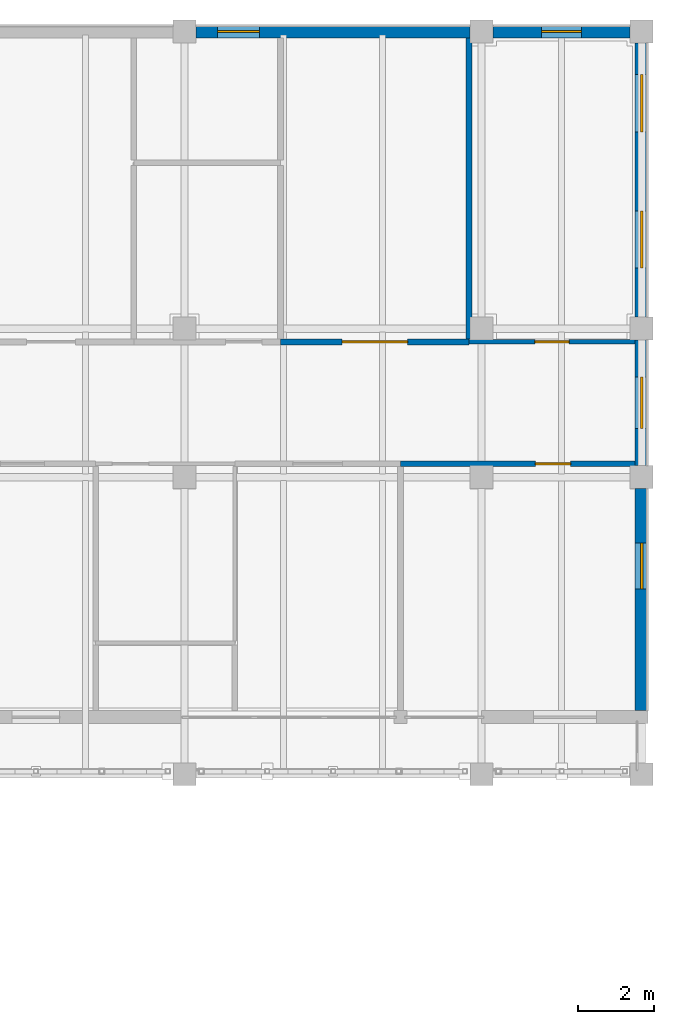
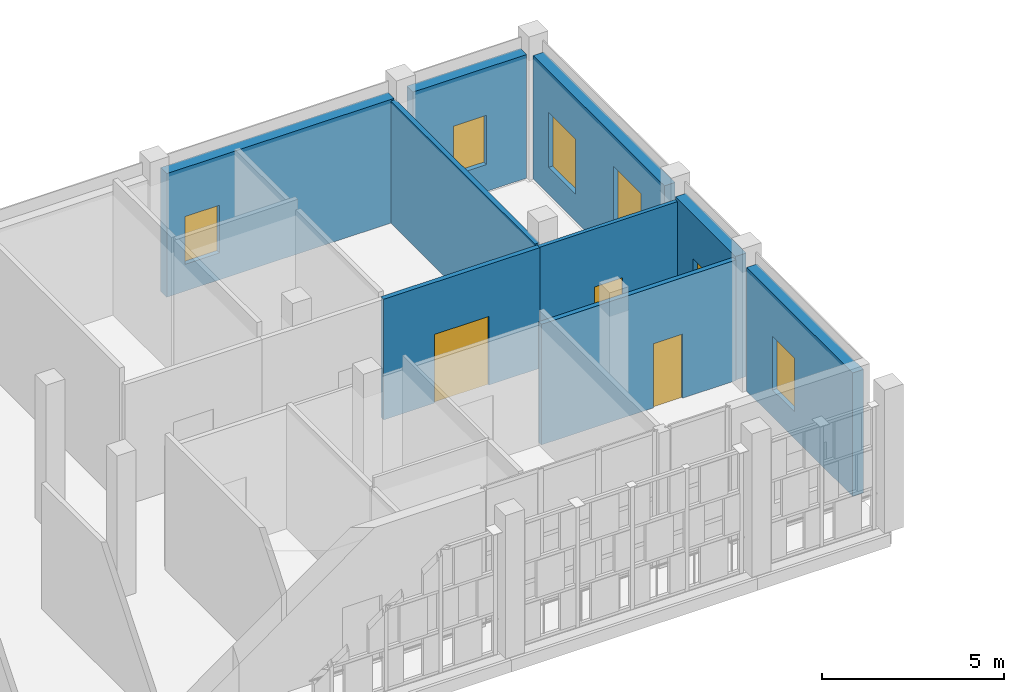
# One storey, part 114 of 138: 9 walls, 6 windows, 3 doors, 9 openings.
"""IFC4 building model written with IfcOpenShell, lengths in metres."""

import ifcopenshell
import ifcopenshell.guid

model = None  # the IFC model being written
_history = None  # IfcOwnerHistory: only IFC2X3 demands one
_inside = {}  # id of a spatial element -> (the spatial element, [elements in it])
_under = {}  # id of a project, library or spatial element -> (it, [spatial elements below it])
_declared = {}  # id of a project -> (the project, [libraries it declares])
_typed = {}  # id of a type object -> (the type object, [elements of that type])
_made_of = {}  # id of a material, layer set ... -> (it, [elements and type objects made of it])


def new_model(schema):
    """Start an empty IFC model of exactly this schema.

    Asked for "IFC4X3", IfcOpenShell would pick the latest addendum, in which some entities
    have other attributes; the version numbers below select the first issue.
    IFC2X3 requires an IfcOwnerHistory on every rooted entity: one is made here for all.
    """
    global model, _history
    if schema == "IFC4X3":
        model = ifcopenshell.file(schema_version=(4, 3, 0, 0))
    else:
        model = ifcopenshell.file(schema=schema)
    _inside.clear()
    _under.clear()
    _declared.clear()
    _typed.clear()
    _made_of.clear()
    _history = None
    if model.schema == "IFC2X3":
        org = make("IfcOrganization", Name="unknown")
        user = make(
            "IfcPersonAndOrganization",
            ThePerson=make("IfcPerson", FamilyName="unknown"),
            TheOrganization=org,
        )
        app = make(
            "IfcApplication",
            ApplicationDeveloper=org,
            Version="unknown",
            ApplicationFullName="unknown",
            ApplicationIdentifier="unknown",
        )
        _history = make(
            "IfcOwnerHistory",
            OwningUser=user,
            OwningApplication=app,
            ChangeAction="ADDED",
            CreationDate=0,
        )
    return model


def make(cls, **values):
    """One entity of the class cls with the attributes given. An attribute that is None is left unset."""
    return model.create_entity(
        cls, **{name: value for name, value in values.items() if value is not None}
    )


def rooted(cls, **values):
    """An entity with a GlobalId (a new one), such as an element, a storey or a relation."""
    return make(cls, GlobalId=ifcopenshell.guid.new(), OwnerHistory=_history, **values)


def si_unit(unit_type, name, prefix=None):
    """IfcSIUnit, for example si_unit("LENGTHUNIT", "METRE", prefix="MILLI")."""
    return make("IfcSIUnit", UnitType=unit_type, Prefix=prefix, Name=name)


def assignment(units):
    """IfcUnitAssignment: the units of a project."""
    return None if units is None else make("IfcUnitAssignment", Units=units)


def point(xyz):
    """IfcCartesianPoint."""
    return None if xyz is None else make("IfcCartesianPoint", Coordinates=xyz)


def direction(xyz):
    """IfcDirection."""
    return None if xyz is None else make("IfcDirection", DirectionRatios=xyz)


def frame(location, z_axis=None, x_axis=None):
    """IfcAxis2Placement3D, a coordinate frame: its origin and axes. An axis left out is left unset."""
    return make(
        "IfcAxis2Placement3D",
        Location=point(location),
        Axis=direction(z_axis),
        RefDirection=direction(x_axis),
    )


def frame_2d(location, x_axis=None):
    """IfcAxis2Placement2D, a coordinate frame in the plane: its origin and x axis."""
    return make(
        "IfcAxis2Placement2D", Location=point(location), RefDirection=direction(x_axis)
    )


def origin():
    """The frame at (0, 0, 0) with its axes left unset."""
    return frame((0.0, 0.0, 0.0))


def place(relative_to, where):
    """IfcLocalPlacement: puts the frame where relative to a parent placement (None: the world)."""
    return make(
        "IfcLocalPlacement", PlacementRelTo=relative_to, RelativePlacement=where
    )


def context(
    kind, dimensions, precision=None, world=None, true_north=None, identifier=None
):
    """IfcGeometricRepresentationContext, for example the 3D "Model" context."""
    return make(
        "IfcGeometricRepresentationContext",
        ContextIdentifier=identifier,
        ContextType=kind,
        CoordinateSpaceDimension=dimensions,
        Precision=precision,
        WorldCoordinateSystem=world,
        TrueNorth=true_north,
    )


def subcontext(parent, identifier, kind, view, scale=None):
    """IfcGeometricRepresentationSubContext, for example "Body" below "Model"."""
    return make(
        "IfcGeometricRepresentationSubContext",
        ContextIdentifier=identifier,
        ContextType=kind,
        ParentContext=parent,
        TargetScale=scale,
        TargetView=view,
    )


def project(units=None, contexts=None):
    """IfcProject with its units and contexts."""
    return rooted(
        "IfcProject",
        Name="project",
        RepresentationContexts=contexts,
        UnitsInContext=assignment(units),
    )


def spatial(cls, under=None, at=None, **own):
    """A site, building, storey or space (cls), placed at a placement, below another one or the project."""
    s = rooted(cls, ObjectPlacement=at, **own)
    if under is not None:
        _under.setdefault(under.id(), (under, []))[1].append(s)
    return s


def profile(cls, at=None, kind="AREA", **sizes):
    """A parametric profile (cls). Its sizes go by their IFC names, for example OverallWidth=200.0."""
    return make(cls, ProfileType=kind, Position=at, **sizes)


def rectangle(**sizes):
    """IfcRectangleProfileDef."""
    return profile("IfcRectangleProfileDef", **sizes)


def extrude(swept, where, along, depth):
    """IfcExtrudedAreaSolid: the profile swept, set in the frame where, extruded along a direction by depth."""
    return make(
        "IfcExtrudedAreaSolid",
        SweptArea=swept,
        Position=where,
        ExtrudedDirection=direction(along),
        Depth=depth,
    )


def shape(context_of_items, identifier, shape_type, items):
    """IfcShapeRepresentation: the items that make up one representation, for example the "Body"."""
    return make(
        "IfcShapeRepresentation",
        ContextOfItems=context_of_items,
        RepresentationIdentifier=identifier,
        RepresentationType=shape_type,
        Items=items,
    )


def material(Name=None, Category=None):
    """IfcMaterial."""
    return make("IfcMaterial", Name=Name, Category=Category)


def layer(
    of_material, thickness, ventilated=None, Name=None, Category=None, Priority=None
):
    """IfcMaterialLayer: one layer of a wall or slab, of a material (None: an air gap)."""
    return make(
        "IfcMaterialLayer",
        Material=of_material,
        LayerThickness=thickness,
        IsVentilated=ventilated,
        Name=Name,
        Category=Category,
        Priority=Priority,
    )


def layer_set(layers, Name=None):
    """IfcMaterialLayerSet."""
    return make("IfcMaterialLayerSet", MaterialLayers=layers, LayerSetName=Name)


def made_of(thing, what):
    """Note that an element or type object is made of a material, layer set ...; save() writes the relation."""
    if what is not None:
        _made_of.setdefault(what.id(), (what, []))[1].append(thing)
    return thing


def type_object(cls, material=None, **own):
    """A type object (cls), such as IfcWallType, which elements share."""
    return made_of(rooted(cls, **own), material)


def element(
    cls,
    number,
    at=None,
    inside=None,
    cuts=None,
    type_object=None,
    material=None,
    context=None,
    identifier="Body",
    shape_type=None,
    held_by="IfcProductDefinitionShape",
    body=None,
    shapes=None,
    **own,
):
    """One element of the class cls, such as IfcWall. Its Tag is "e" and its number.

    at: its placement. inside: the storey or other place that contains it. cuts: it is an
    opening in that element (IfcRelVoidsElement). A single representation is given by context,
    identifier, shape_type and body (its items); several are given by shapes. held_by: the class
    of the entity that holds the representations. save() writes the other relations.
    """
    e = rooted(cls, Tag="e%d" % number, ObjectPlacement=at, **own)
    if body is not None:
        shapes = [shape(context, identifier, shape_type, body)]
    if shapes is not None:
        e.Representation = make(held_by, Representations=shapes)
    if inside is not None:
        _inside.setdefault(inside.id(), (inside, []))[1].append(e)
    if cuts is not None:
        rooted(
            "IfcRelVoidsElement", RelatingBuildingElement=cuts, RelatedOpeningElement=e
        )
    if type_object is not None:
        _typed.setdefault(type_object.id(), (type_object, []))[1].append(e)
    return made_of(e, material)


def fill(opening, filler):
    """IfcRelFillsElement: the door or window that sits in an opening."""
    return rooted(
        "IfcRelFillsElement",
        RelatingOpeningElement=opening,
        RelatedBuildingElement=filler,
    )


def aggregate(whole, parts):
    """IfcRelAggregates: a whole, such as a stair, and the parts it consists of."""
    return rooted("IfcRelAggregates", RelatingObject=whole, RelatedObjects=parts)


def save(model, path):
    """Write the relations noted so far, then the file.

    IfcRelAggregates (storeys below a building ...), IfcRelContainedInSpatialStructure (elements
    in a storey), IfcRelDefinesByType, IfcRelAssociatesMaterial and IfcRelDeclares: one each for
    every whole, place, type object, material and project.
    """
    for whole, parts in _under.values():
        aggregate(whole, parts)
    for where, things in _inside.values():
        rooted(
            "IfcRelContainedInSpatialStructure",
            RelatedElements=things,
            RelatingStructure=where,
        )
    for kind, things in _typed.values():
        rooted("IfcRelDefinesByType", RelatedObjects=things, RelatingType=kind)
    for what, things in _made_of.values():
        rooted("IfcRelAssociatesMaterial", RelatedObjects=things, RelatingMaterial=what)
    for by, libraries in _declared.values():
        rooted("IfcRelDeclares", RelatingContext=by, RelatedDefinitions=libraries)
    model.write(path)


model = new_model("IFC4")

# Units and contexts
model_context = context("Model", 3, precision=1e-05, world=origin(), true_north=direction((0.0, 1.0)))
body_context = subcontext(model_context, "Body", "Model", "MODEL_VIEW")
ifc_project = project(units=[si_unit("LENGTHUNIT", "METRE"), si_unit("AREAUNIT", "SQUARE_METRE"), si_unit("VOLUMEUNIT", "CUBIC_METRE"), si_unit("PLANEANGLEUNIT", "RADIAN"), si_unit("MASSUNIT", "GRAM", prefix="KILO")], contexts=[model_context])

# Site, building, storey
site_placement = place(None, origin())
site = spatial("IfcSite", under=ifc_project, at=site_placement, CompositionType="ELEMENT")
building_placement = place(site_placement, origin())
building = spatial("IfcBuilding", under=site, at=building_placement, Name="Celorna Specialist Clinic", CompositionType="ELEMENT")
storey_placement = place(building_placement, frame((0.0, 0.0, 4.800048828125)))
storey = spatial("IfcBuildingStorey", under=building, at=storey_placement, Name="L01", CompositionType="ELEMENT", Elevation=4.800048828125)

# Wall, opening, window
ifc_material_1 = material(Name="Pero Pinheiro Lioz limestone insulated masonry", Category="masonry")
ifc_layer_1 = layer(ifc_material_1, 0.340087890625, Name="Pero Pinheiro Lioz limestone insulated masonry")
ifc_layer_set_1 = layer_set([ifc_layer_1], Name="Pero Pinheiro Lioz limestone insulated masonry")
wall_type_1 = type_object("IfcWallType", Name="WT-07", PredefinedType="STANDARD", material=ifc_layer_set_1)
wall_1_placement = place(storey_placement, frame((156.300048828125, 116.0, 0.0), z_axis=(0.0, 0.0, 1.0), x_axis=(1.0, 0.0, 0.0)))
wall_1 = element("IfcWall", 1, at=wall_1_placement, inside=storey, type_object=wall_type_1, Name="External facade wall WT-07 #222", PredefinedType="STANDARD", context=body_context, shape_type="SweptSolid", body=[
    extrude(rectangle(XDim=7.199951171875, YDim=0.340087890625, at=frame_2d((3.60009765625, 0.0))), origin(), (0.0, 0.0, 1.0), 4.139892578125),
])
opening_1_placement = place(wall_1_placement, frame((0.570068359375, 0.0, 0.89990234375)))
opening_1 = element("IfcOpeningElement", 2, at=opening_1_placement, cuts=wall_1, Name="Opening WN-03", PredefinedType="OPENING", context=body_context, shape_type="SweptSolid", body=[
    extrude(rectangle(XDim=1.10009765625, YDim=1.60009765625, at=frame_2d((0.550048828125, 0.800048828125))), frame((0.0, 0.179931640625, 0.0), z_axis=(0.0, -1.0, 0.0), x_axis=(1.0, 0.0, 0.0)), (0.0, 0.0, 1.0), 0.360107421875),
])
ifc_material_2 = material(Name="Thermally broken aluminium triple-glazed window", Category="aluminium")
window_type_1 = type_object("IfcWindowType", Name="WN-03", PartitioningType="SINGLE_PANEL", PredefinedType="WINDOW", material=ifc_material_2)
window_1_placement = place(opening_1_placement, origin())
window_1 = element("IfcWindow", 3, at=window_1_placement, inside=storey, type_object=window_type_1, Name="Facade window WN-03 #102", OverallHeight=1.60009765625, OverallWidth=1.10009765625, PartitioningType="SINGLE_PANEL", PredefinedType="WINDOW", context=body_context, shape_type="SweptSolid", body=[
    extrude(rectangle(XDim=1.10009765625, YDim=1.60009765625, at=frame_2d((0.550048828125, 0.800048828125))), frame((0.0, 0.030029296875, 0.0), z_axis=(0.0, -1.0, 0.0), x_axis=(1.0, 0.0, 0.0)), (0.0, 0.0, 1.0), 0.06005859375),
])
fill(opening_1, window_1)

wall_2_placement = place(storey_placement, frame((164.10009765625, 116.0, 0.0), z_axis=(0.0, 0.0, 1.0), x_axis=(1.0, 0.0, 0.0)))
wall_2 = element("IfcWall", 4, at=wall_2_placement, inside=storey, type_object=wall_type_1, Name="External facade wall WT-07 #223", PredefinedType="STANDARD", context=body_context, shape_type="SweptSolid", body=[
    extrude(rectangle(XDim=3.599853515625, YDim=0.340087890625, at=frame_2d((1.7998046875, 0.0))), origin(), (0.0, 0.0, 1.0), 4.139892578125),
])
opening_2_placement = place(wall_2_placement, frame((1.27490234375, 0.0, 0.89990234375)))
opening_2 = element("IfcOpeningElement", 5, at=opening_2_placement, cuts=wall_2, Name="Opening WN-21", PredefinedType="OPENING", context=body_context, shape_type="SweptSolid", body=[
    extrude(rectangle(XDim=1.050048828125, YDim=1.64990234375, at=frame_2d((0.52490234375, 0.824951171875))), frame((0.0, 0.179931640625, 0.0), z_axis=(0.0, -1.0, 0.0), x_axis=(1.0, 0.0, 0.0)), (0.0, 0.0, 1.0), 0.360107421875),
])
window_type_2 = type_object("IfcWindowType", Name="WN-21", PartitioningType="SINGLE_PANEL", PredefinedType="WINDOW", material=ifc_material_2)
window_2_placement = place(opening_2_placement, origin())
window_2 = element("IfcWindow", 6, at=window_2_placement, inside=storey, type_object=window_type_2, Name="Facade window WN-21 #103", OverallHeight=1.64990234375, OverallWidth=1.050048828125, PartitioningType="SINGLE_PANEL", PredefinedType="WINDOW", context=body_context, shape_type="SweptSolid", body=[
    extrude(rectangle(XDim=1.050048828125, YDim=1.64990234375, at=frame_2d((0.52490234375, 0.824951171875))), frame((0.0, 0.030029296875, 0.0), z_axis=(0.0, -1.0, 0.0), x_axis=(1.0, 0.0, 0.0)), (0.0, 0.0, 1.0), 0.06005859375),
])
fill(opening_2, window_2)

wall_3_placement = place(storey_placement, frame((168.0, 104.0, 0.0), z_axis=(0.0, 0.0, 1.0), x_axis=(0.0, -1.0, 0.0)))
wall_3 = element("IfcWall", 7, at=wall_3_placement, inside=storey, type_object=wall_type_1, Name="External facade wall WT-07 #227", PredefinedType="STANDARD", context=body_context, shape_type="SweptSolid", body=[
    extrude(rectangle(XDim=5.830078125, YDim=0.340087890625, at=frame_2d((2.9150390625, 0.0))), origin(), (0.0, 0.0, 1.0), 4.139892578125),
])
opening_3_placement = place(wall_3_placement, frame((1.43505859375, 0.0, 0.89990234375)))
opening_3 = element("IfcOpeningElement", 8, at=opening_3_placement, cuts=wall_3, Name="Opening WN-05", PredefinedType="OPENING", context=body_context, shape_type="SweptSolid", body=[
    extrude(rectangle(XDim=1.199951171875, YDim=1.800048828125, at=frame_2d((0.60009765625, 0.89990234375))), frame((0.0, 0.179931640625, 0.0), z_axis=(0.0, -1.0, 0.0), x_axis=(1.0, 0.0, 0.0)), (0.0, 0.0, 1.0), 0.360107421875),
])
window_type_3 = type_object("IfcWindowType", Name="WN-05", PartitioningType="SINGLE_PANEL", PredefinedType="WINDOW", material=ifc_material_2)
window_3_placement = place(opening_3_placement, origin())
window_3 = element("IfcWindow", 9, at=window_3_placement, inside=storey, type_object=window_type_3, Name="Facade window WN-05 #107", OverallHeight=1.800048828125, OverallWidth=1.199951171875, PartitioningType="SINGLE_PANEL", PredefinedType="WINDOW", context=body_context, shape_type="SweptSolid", body=[
    extrude(rectangle(XDim=1.199951171875, YDim=1.800048828125, at=frame_2d((0.60009765625, 0.89990234375))), frame((0.0, 0.030029296875, 0.0), z_axis=(0.0, -1.0, 0.0), x_axis=(1.0, 0.0, 0.0)), (0.0, 0.0, 1.0), 0.06005859375),
])
fill(opening_3, window_3)

wall_4_placement = place(storey_placement, frame((168.0, 107.89990234375, 0.0), z_axis=(0.0, 0.0, 1.0), x_axis=(0.0, -1.0, 0.0)))
wall_4 = element("IfcWall", 10, at=wall_4_placement, inside=storey, type_object=wall_type_1, Name="External facade wall WT-07 #228", PredefinedType="STANDARD", context=body_context, shape_type="SweptSolid", body=[
    extrude(rectangle(XDim=3.2998046875, YDim=0.340087890625, at=frame_2d((1.64990234375, 0.0))), origin(), (0.0, 0.0, 1.0), 4.139892578125),
])
opening_4_placement = place(wall_4_placement, frame((0.97509765625, 0.0, 0.89990234375)))
opening_4 = element("IfcOpeningElement", 11, at=opening_4_placement, cuts=wall_4, Name="Opening WN-07", PredefinedType="OPENING", context=body_context, shape_type="SweptSolid", body=[
    extrude(rectangle(XDim=1.35009765625, YDim=1.75, at=frame_2d((0.675048828125, 0.875))), frame((0.0, 0.179931640625, 0.0), z_axis=(0.0, -1.0, 0.0), x_axis=(1.0, 0.0, 0.0)), (0.0, 0.0, 1.0), 0.360107421875),
])
window_type_4 = type_object("IfcWindowType", Name="WN-07", PartitioningType="SINGLE_PANEL", PredefinedType="WINDOW", material=ifc_material_2)
window_4_placement = place(opening_4_placement, origin())
window_4 = element("IfcWindow", 12, at=window_4_placement, inside=storey, type_object=window_type_4, Name="Facade window WN-07 #108", OverallHeight=1.75, OverallWidth=1.35009765625, PartitioningType="SINGLE_PANEL", PredefinedType="WINDOW", context=body_context, shape_type="SweptSolid", body=[
    extrude(rectangle(XDim=1.35009765625, YDim=1.75, at=frame_2d((0.675048828125, 0.875))), frame((0.0, 0.030029296875, 0.0), z_axis=(0.0, -1.0, 0.0), x_axis=(1.0, 0.0, 0.0)), (0.0, 0.0, 1.0), 0.06005859375),
])
fill(opening_4, window_4)

# Wall, openings, windows
wall_5_placement = place(storey_placement, frame((168.0, 115.699951171875, 0.0), z_axis=(0.0, 0.0, 1.0), x_axis=(0.0, -1.0, 0.0)))
wall_5 = element("IfcWall", 13, at=wall_5_placement, inside=storey, type_object=wall_type_1, Name="External facade wall WT-07 #229", PredefinedType="STANDARD", context=body_context, shape_type="SweptSolid", body=[
    extrude(rectangle(XDim=7.199951171875, YDim=0.340087890625, at=frame_2d((3.60009765625, 0.0))), origin(), (0.0, 0.0, 1.0), 4.139892578125),
])
opening_5_placement = place(wall_5_placement, frame((0.8349609375, 0.0, 0.89990234375)))
opening_5 = element("IfcOpeningElement", 14, at=opening_5_placement, cuts=wall_5, Name="Opening WN-09", PredefinedType="OPENING", context=body_context, shape_type="SweptSolid", body=[
    extrude(rectangle(XDim=1.5, YDim=1.85009765625, at=frame_2d((0.75, 0.925048828125))), frame((0.0, 0.179931640625, 0.0), z_axis=(0.0, -1.0, 0.0), x_axis=(1.0, 0.0, 0.0)), (0.0, 0.0, 1.0), 0.360107421875),
])
opening_6_placement = place(wall_5_placement, frame((4.4150390625, 0.0, 0.89990234375)))
opening_6 = element("IfcOpeningElement", 15, at=opening_6_placement, cuts=wall_5, Name="Opening WN-10", PredefinedType="OPENING", context=body_context, shape_type="SweptSolid", body=[
    extrude(rectangle(XDim=1.5, YDim=2.199951171875, at=frame_2d((0.75, 1.10009765625))), frame((0.0, 0.179931640625, 0.0), z_axis=(0.0, -1.0, 0.0), x_axis=(1.0, 0.0, 0.0)), (0.0, 0.0, 1.0), 0.360107421875),
])
window_type_5 = type_object("IfcWindowType", Name="WN-09", PartitioningType="SINGLE_PANEL", PredefinedType="WINDOW", material=ifc_material_2)
window_5_placement = place(opening_5_placement, origin())
window_5 = element("IfcWindow", 16, at=window_5_placement, inside=storey, type_object=window_type_5, Name="Facade window WN-09 #109", OverallHeight=1.85009765625, OverallWidth=1.5, PartitioningType="SINGLE_PANEL", PredefinedType="WINDOW", context=body_context, shape_type="SweptSolid", body=[
    extrude(rectangle(XDim=1.5, YDim=1.85009765625, at=frame_2d((0.75, 0.925048828125))), frame((0.0, 0.030029296875, 0.0), z_axis=(0.0, -1.0, 0.0), x_axis=(1.0, 0.0, 0.0)), (0.0, 0.0, 1.0), 0.06005859375),
])
fill(opening_5, window_5)
window_type_6 = type_object("IfcWindowType", Name="WN-10", PartitioningType="SINGLE_PANEL", PredefinedType="WINDOW", material=ifc_material_2)
window_6_placement = place(opening_6_placement, origin())
window_6 = element("IfcWindow", 17, at=window_6_placement, inside=storey, type_object=window_type_6, Name="Facade window WN-10 #110", OverallHeight=2.199951171875, OverallWidth=1.5, PartitioningType="SINGLE_PANEL", PredefinedType="WINDOW", context=body_context, shape_type="SweptSolid", body=[
    extrude(rectangle(XDim=1.5, YDim=2.199951171875, at=frame_2d((0.75, 1.10009765625))), frame((0.0, 0.030029296875, 0.0), z_axis=(0.0, -1.0, 0.0), x_axis=(1.0, 0.0, 0.0)), (0.0, 0.0, 1.0), 0.06005859375),
])
fill(opening_6, window_6)

# Wall, opening, door
ifc_material_3 = material(Name="Fire-rated gypsum board partition")
ifc_layer_2 = layer(ifc_material_3, 0.14990234375, Name="Fire-rated gypsum board partition")
ifc_layer_set_2 = layer_set([ifc_layer_2], Name="Fire-rated gypsum board partition")
wall_type_2 = type_object("IfcWallType", Name="WT-14", PredefinedType="PARTITIONING", material=ifc_layer_set_2)
wall_6_placement = place(storey_placement, frame((167.830078125, 104.64990234375, 0.0), z_axis=(0.0, 0.0, 1.0), x_axis=(-1.0, 0.0, 0.0)))
wall_6 = element("IfcWall", 18, at=wall_6_placement, inside=storey, type_object=wall_type_2, Name="Interior partition WT-14 L01-073", PredefinedType="PARTITIONING", context=body_context, shape_type="SweptSolid", body=[
    extrude(rectangle(XDim=6.16015625, YDim=0.14990234375, at=frame_2d((3.080078125, 0.0))), origin(), (0.0, 0.0, 1.0), 4.0400390625),
])
opening_7_placement = place(wall_6_placement, frame((1.696044921875, 0.0, 0.0)))
opening_7 = element("IfcOpeningElement", 19, at=opening_7_placement, cuts=wall_6, Name="Opening DR-20", PredefinedType="OPENING", context=body_context, shape_type="SweptSolid", body=[
    extrude(rectangle(XDim=0.919921875, YDim=2.14990234375, at=frame_2d((0.4599609375, 1.074951171875))), frame((0.0, 0.0849609375, 0.0), z_axis=(0.0, -1.0, 0.0), x_axis=(1.0, 0.0, 0.0)), (0.0, 0.0, 1.0), 0.169921875),
])
ifc_material_4 = material(Name="Timber clinical consultation door", Category="wood")
door_type_1 = type_object("IfcDoorType", Name="DR-20", OperationType="NOTDEFINED", PredefinedType="DOOR", material=ifc_material_4)
door_1_placement = place(opening_7_placement, origin())
door_1 = element("IfcDoor", 20, at=door_1_placement, inside=storey, type_object=door_type_1, Name="Consulting Room door L01-073", OperationType="SINGLE_SWING_LEFT", OverallHeight=2.14990234375, OverallWidth=0.919921875, PredefinedType="DOOR", context=body_context, shape_type="SweptSolid", body=[
    extrude(rectangle(XDim=0.919921875, YDim=2.14990234375, at=frame_2d((0.4599609375, 1.074951171875))), frame((0.0, 0.02490234375, 0.0), z_axis=(0.0, -1.0, 0.0), x_axis=(1.0, 0.0, 0.0)), (0.0, 0.0, 1.0), 0.050048828125),
])
fill(opening_7, door_1)

wall_7_placement = place(storey_placement, frame((158.52001953125, 107.85009765625, 0.0), z_axis=(0.0, 0.0, 1.0), x_axis=(1.0, 0.0, 0.0)))
wall_7 = element("IfcWall", 21, at=wall_7_placement, inside=storey, type_object=wall_type_2, Name="Interior partition WT-14 L01-089", PredefinedType="PARTITIONING", context=body_context, shape_type="SweptSolid", body=[
    extrude(rectangle(XDim=4.949951171875, YDim=0.14990234375, at=frame_2d((2.47509765625, 0.0))), origin(), (0.0, 0.0, 1.0), 4.0400390625),
])
opening_8_placement = place(wall_7_placement, frame((1.614990234375, 0.0, 0.0)))
opening_8 = element("IfcOpeningElement", 22, at=opening_8_placement, cuts=wall_7, Name="Opening DR-24", PredefinedType="OPENING", context=body_context, shape_type="SweptSolid", body=[
    extrude(rectangle(XDim=1.719970703125, YDim=2.300048828125, at=frame_2d((0.85986328125, 1.14990234375))), frame((0.0, 0.0849609375, 0.0), z_axis=(0.0, -1.0, 0.0), x_axis=(1.0, 0.0, 0.0)), (0.0, 0.0, 1.0), 0.169921875),
])
ifc_material_5 = material(Name="Double leaf clinical waiting door")
door_type_2 = type_object("IfcDoorType", Name="DR-24", OperationType="DOUBLE_DOOR_SINGLE_SWING", PredefinedType="DOOR", material=ifc_material_5)
door_2_placement = place(opening_8_placement, origin())
door_2 = element("IfcDoor", 23, at=door_2_placement, inside=storey, type_object=door_type_2, Name="Consulting Room door L01-089", OperationType="DOUBLE_DOOR_SINGLE_SWING", OverallHeight=2.300048828125, OverallWidth=1.719970703125, PredefinedType="DOOR", context=body_context, shape_type="SweptSolid", body=[
    extrude(rectangle(XDim=1.719970703125, YDim=2.300048828125, at=frame_2d((0.85986328125, 1.14990234375))), frame((0.0, 0.02490234375, 0.0), z_axis=(0.0, -1.0, 0.0), x_axis=(1.0, 0.0, 0.0)), (0.0, 0.0, 1.0), 0.050048828125),
])
fill(opening_8, door_2)

# Wall
wall_8_placement = place(storey_placement, frame((163.469970703125, 107.925048828125, 0.0), z_axis=(0.0, 0.0, 1.0), x_axis=(0.0, 1.0, 0.0)))
element("IfcWall", 24, at=wall_8_placement, inside=storey, type_object=wall_type_2, Name="Room dividing partition WT-14 L01-089", PredefinedType="PARTITIONING", context=body_context, shape_type="SweptSolid", body=[
    extrude(rectangle(XDim=7.905029296875, YDim=0.14990234375, at=frame_2d((3.95263671875, 0.0))), origin(), (0.0, 0.0, 1.0), 4.08984375),
])

# Wall, opening, door
ifc_material_6 = material(Name="Acoustic gypsum board partition")
ifc_layer_3 = layer(ifc_material_6, 0.1201171875, Name="Acoustic gypsum board partition")
ifc_layer_set_3 = layer_set([ifc_layer_3], Name="Acoustic gypsum board partition")
wall_type_3 = type_object("IfcWallType", Name="WT-15", PredefinedType="PARTITIONING", material=ifc_layer_set_3)
wall_9_placement = place(storey_placement, frame((163.469970703125, 107.85009765625, 0.0), z_axis=(0.0, 0.0, 1.0), x_axis=(1.0, 0.0, 0.0)))
wall_9 = element("IfcWall", 25, at=wall_9_placement, inside=storey, type_object=wall_type_3, Name="Interior partition WT-15 L01-090", PredefinedType="PARTITIONING", context=body_context, shape_type="SweptSolid", body=[
    extrude(rectangle(XDim=4.360107421875, YDim=0.1201171875, at=frame_2d((2.18017578125, 0.0))), origin(), (0.0, 0.0, 1.0), 4.0400390625),
])
opening_9_placement = place(wall_9_placement, frame((1.72998046875, 0.0, 0.0)))
opening_9 = element("IfcOpeningElement", 26, at=opening_9_placement, cuts=wall_9, Name="Opening DR-02", PredefinedType="OPENING", context=body_context, shape_type="SweptSolid", body=[
    extrude(rectangle(XDim=0.89990234375, YDim=2.10009765625, at=frame_2d((0.449951171875, 1.050048828125))), frame((0.0, 0.070068359375, 0.0), z_axis=(0.0, -1.0, 0.0), x_axis=(1.0, 0.0, 0.0)), (0.0, 0.0, 1.0), 0.14013671875),
])
ifc_material_7 = material(Name="Timber acoustic clinical door", Category="wood")
door_type_3 = type_object("IfcDoorType", Name="DR-02", OperationType="NOTDEFINED", PredefinedType="DOOR", material=ifc_material_7)
door_3_placement = place(opening_9_placement, origin())
door_3 = element("IfcDoor", 27, at=door_3_placement, inside=storey, type_object=door_type_3, Name="Audiology and ENT Examination Room door L01-090", OperationType="SINGLE_SWING_RIGHT", OverallHeight=2.10009765625, OverallWidth=0.89990234375, PredefinedType="DOOR", context=body_context, shape_type="SweptSolid", body=[
    extrude(rectangle(XDim=0.89990234375, YDim=2.10009765625, at=frame_2d((0.449951171875, 1.050048828125))), frame((0.0, 0.02490234375, 0.0), z_axis=(0.0, -1.0, 0.0), x_axis=(1.0, 0.0, 0.0)), (0.0, 0.0, 1.0), 0.050048828125),
])
fill(opening_9, door_3)

save(model, "model.ifc")
